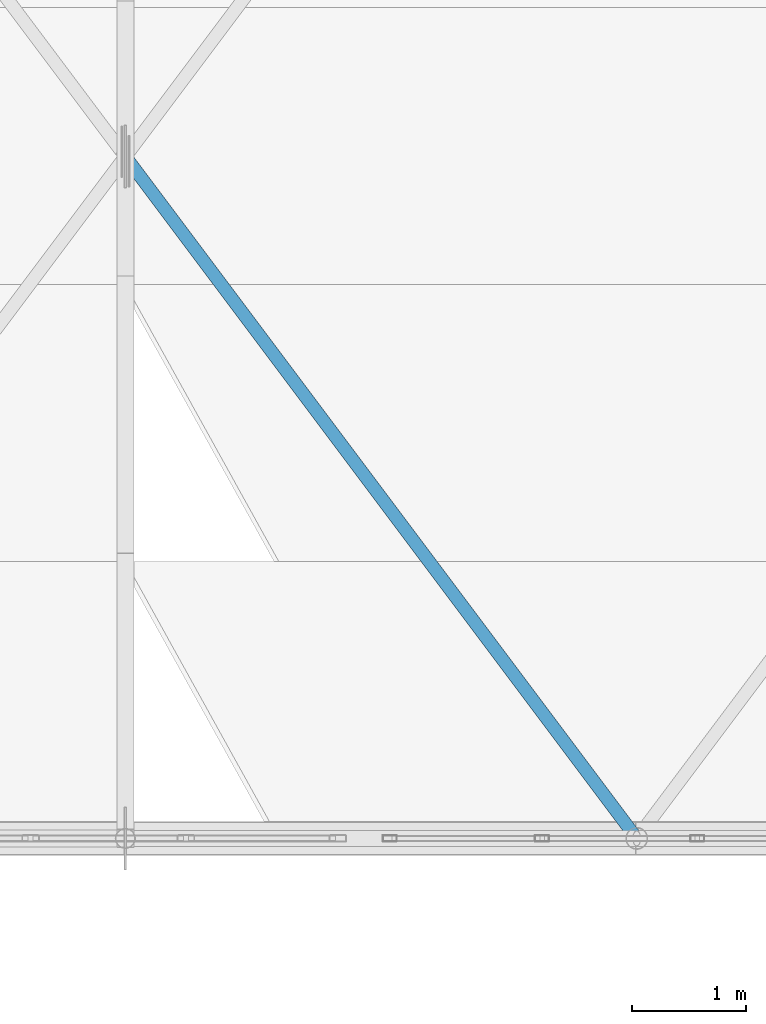
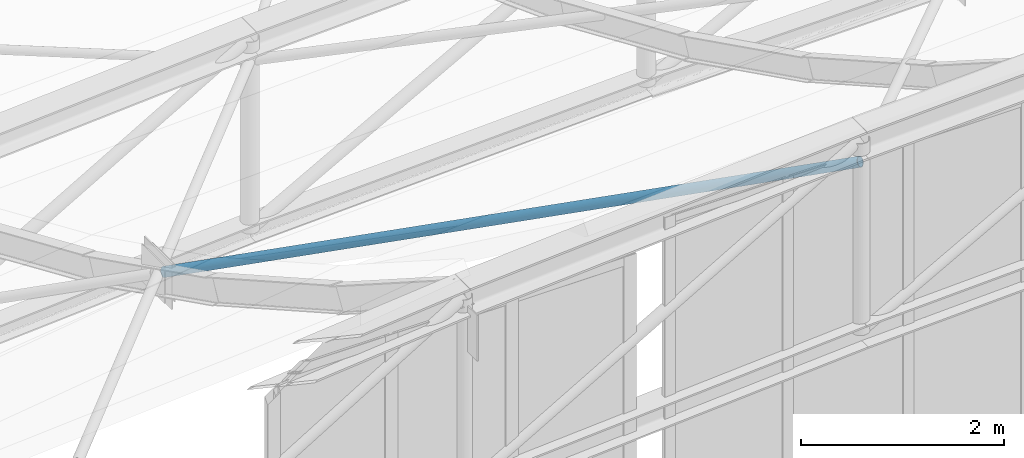
# One storey, part 49 of 262: 1 member.
"""IFC4 building model written with IfcOpenShell, lengths in metres."""

import ifcopenshell
import ifcopenshell.guid

model = None  # the IFC model being written
_history = None  # IfcOwnerHistory: only IFC2X3 demands one
_inside = {}  # id of a spatial element -> (the spatial element, [elements in it])
_under = {}  # id of a project, library or spatial element -> (it, [spatial elements below it])
_declared = {}  # id of a project -> (the project, [libraries it declares])
_typed = {}  # id of a type object -> (the type object, [elements of that type])
_made_of = {}  # id of a material, layer set ... -> (it, [elements and type objects made of it])


def new_model(schema):
    """Start an empty IFC model of exactly this schema.

    Asked for "IFC4X3", IfcOpenShell would pick the latest addendum, in which some entities
    have other attributes; the version numbers below select the first issue.
    IFC2X3 requires an IfcOwnerHistory on every rooted entity: one is made here for all.
    """
    global model, _history
    if schema == "IFC4X3":
        model = ifcopenshell.file(schema_version=(4, 3, 0, 0))
    else:
        model = ifcopenshell.file(schema=schema)
    _inside.clear()
    _under.clear()
    _declared.clear()
    _typed.clear()
    _made_of.clear()
    _history = None
    if model.schema == "IFC2X3":
        org = make("IfcOrganization", Name="unknown")
        user = make(
            "IfcPersonAndOrganization",
            ThePerson=make("IfcPerson", FamilyName="unknown"),
            TheOrganization=org,
        )
        app = make(
            "IfcApplication",
            ApplicationDeveloper=org,
            Version="unknown",
            ApplicationFullName="unknown",
            ApplicationIdentifier="unknown",
        )
        _history = make(
            "IfcOwnerHistory",
            OwningUser=user,
            OwningApplication=app,
            ChangeAction="ADDED",
            CreationDate=0,
        )
    return model


def make(cls, **values):
    """One entity of the class cls with the attributes given. An attribute that is None is left unset."""
    return model.create_entity(
        cls, **{name: value for name, value in values.items() if value is not None}
    )


def rooted(cls, **values):
    """An entity with a GlobalId (a new one), such as an element, a storey or a relation."""
    return make(cls, GlobalId=ifcopenshell.guid.new(), OwnerHistory=_history, **values)


def si_unit(unit_type, name, prefix=None):
    """IfcSIUnit, for example si_unit("LENGTHUNIT", "METRE", prefix="MILLI")."""
    return make("IfcSIUnit", UnitType=unit_type, Prefix=prefix, Name=name)


def derived_unit(unit_type, elements):
    """IfcDerivedUnit: a product of units, each with its exponent."""
    return make(
        "IfcDerivedUnit",
        Elements=[
            make("IfcDerivedUnitElement", Unit=unit, Exponent=power)
            for unit, power in elements
        ],
        UnitType=unit_type,
    )


def assignment(units):
    """IfcUnitAssignment: the units of a project."""
    return None if units is None else make("IfcUnitAssignment", Units=units)


def point(xyz):
    """IfcCartesianPoint."""
    return None if xyz is None else make("IfcCartesianPoint", Coordinates=xyz)


def direction(xyz):
    """IfcDirection."""
    return None if xyz is None else make("IfcDirection", DirectionRatios=xyz)


def frame(location, z_axis=None, x_axis=None):
    """IfcAxis2Placement3D, a coordinate frame: its origin and axes. An axis left out is left unset."""
    return make(
        "IfcAxis2Placement3D",
        Location=point(location),
        Axis=direction(z_axis),
        RefDirection=direction(x_axis),
    )


def frame_2d(location, x_axis=None):
    """IfcAxis2Placement2D, a coordinate frame in the plane: its origin and x axis."""
    return make(
        "IfcAxis2Placement2D", Location=point(location), RefDirection=direction(x_axis)
    )


def origin():
    """The frame at (0, 0, 0) with its axes left unset."""
    return frame((0.0, 0.0, 0.0))


def origin_2d():
    """The frame at (0, 0) in the plane with its x axis left unset."""
    return frame_2d((0.0, 0.0))


def place(relative_to, where):
    """IfcLocalPlacement: puts the frame where relative to a parent placement (None: the world)."""
    return make(
        "IfcLocalPlacement", PlacementRelTo=relative_to, RelativePlacement=where
    )


def context(
    kind, dimensions, precision=None, world=None, true_north=None, identifier=None
):
    """IfcGeometricRepresentationContext, for example the 3D "Model" context."""
    return make(
        "IfcGeometricRepresentationContext",
        ContextIdentifier=identifier,
        ContextType=kind,
        CoordinateSpaceDimension=dimensions,
        Precision=precision,
        WorldCoordinateSystem=world,
        TrueNorth=true_north,
    )


def subcontext(parent, identifier, kind, view, scale=None):
    """IfcGeometricRepresentationSubContext, for example "Body" below "Model"."""
    return make(
        "IfcGeometricRepresentationSubContext",
        ContextIdentifier=identifier,
        ContextType=kind,
        ParentContext=parent,
        TargetScale=scale,
        TargetView=view,
    )


def project(units=None, contexts=None):
    """IfcProject with its units and contexts."""
    return rooted(
        "IfcProject",
        Name="project",
        RepresentationContexts=contexts,
        UnitsInContext=assignment(units),
    )


def spatial(cls, under=None, at=None, **own):
    """A site, building, storey or space (cls), placed at a placement, below another one or the project."""
    s = rooted(cls, ObjectPlacement=at, **own)
    if under is not None:
        _under.setdefault(under.id(), (under, []))[1].append(s)
    return s


def profile(cls, at=None, kind="AREA", **sizes):
    """A parametric profile (cls). Its sizes go by their IFC names, for example OverallWidth=200.0."""
    return make(cls, ProfileType=kind, Position=at, **sizes)


def hollow_circle(**sizes):
    """IfcCircleHollowProfileDef."""
    return profile("IfcCircleHollowProfileDef", **sizes)


def extrude(swept, where, along, depth):
    """IfcExtrudedAreaSolid: the profile swept, set in the frame where, extruded along a direction by depth."""
    return make(
        "IfcExtrudedAreaSolid",
        SweptArea=swept,
        Position=where,
        ExtrudedDirection=direction(along),
        Depth=depth,
    )


def shape(context_of_items, identifier, shape_type, items):
    """IfcShapeRepresentation: the items that make up one representation, for example the "Body"."""
    return make(
        "IfcShapeRepresentation",
        ContextOfItems=context_of_items,
        RepresentationIdentifier=identifier,
        RepresentationType=shape_type,
        Items=items,
    )


def material(Name=None, Category=None):
    """IfcMaterial."""
    return make("IfcMaterial", Name=Name, Category=Category)


def material_profile(
    of_material, cross_section, Name=None, Category=None, Priority=None
):
    """IfcMaterialProfile: a cross section and its material."""
    return make(
        "IfcMaterialProfile",
        Name=Name,
        Material=of_material,
        Profile=cross_section,
        Priority=Priority,
        Category=Category,
    )


def profile_set(profiles, Name=None, composite=None):
    """IfcMaterialProfileSet."""
    return make(
        "IfcMaterialProfileSet",
        Name=Name,
        MaterialProfiles=profiles,
        CompositeProfile=composite,
    )


def made_of(thing, what):
    """Note that an element or type object is made of a material, layer set ...; save() writes the relation."""
    if what is not None:
        _made_of.setdefault(what.id(), (what, []))[1].append(thing)
    return thing


def type_object(cls, material=None, **own):
    """A type object (cls), such as IfcWallType, which elements share."""
    return made_of(rooted(cls, **own), material)


def element(
    cls,
    number,
    at=None,
    inside=None,
    cuts=None,
    type_object=None,
    material=None,
    context=None,
    identifier="Body",
    shape_type=None,
    held_by="IfcProductDefinitionShape",
    body=None,
    shapes=None,
    **own,
):
    """One element of the class cls, such as IfcWall. Its Tag is "e" and its number.

    at: its placement. inside: the storey or other place that contains it. cuts: it is an
    opening in that element (IfcRelVoidsElement). A single representation is given by context,
    identifier, shape_type and body (its items); several are given by shapes. held_by: the class
    of the entity that holds the representations. save() writes the other relations.
    """
    e = rooted(cls, Tag="e%d" % number, ObjectPlacement=at, **own)
    if body is not None:
        shapes = [shape(context, identifier, shape_type, body)]
    if shapes is not None:
        e.Representation = make(held_by, Representations=shapes)
    if inside is not None:
        _inside.setdefault(inside.id(), (inside, []))[1].append(e)
    if cuts is not None:
        rooted(
            "IfcRelVoidsElement", RelatingBuildingElement=cuts, RelatedOpeningElement=e
        )
    if type_object is not None:
        _typed.setdefault(type_object.id(), (type_object, []))[1].append(e)
    return made_of(e, material)


def aggregate(whole, parts):
    """IfcRelAggregates: a whole, such as a stair, and the parts it consists of."""
    return rooted("IfcRelAggregates", RelatingObject=whole, RelatedObjects=parts)


def save(model, path):
    """Write the relations noted so far, then the file.

    IfcRelAggregates (storeys below a building ...), IfcRelContainedInSpatialStructure (elements
    in a storey), IfcRelDefinesByType, IfcRelAssociatesMaterial and IfcRelDeclares: one each for
    every whole, place, type object, material and project.
    """
    for whole, parts in _under.values():
        aggregate(whole, parts)
    for where, things in _inside.values():
        rooted(
            "IfcRelContainedInSpatialStructure",
            RelatedElements=things,
            RelatingStructure=where,
        )
    for kind, things in _typed.values():
        rooted("IfcRelDefinesByType", RelatedObjects=things, RelatingType=kind)
    for what, things in _made_of.values():
        rooted("IfcRelAssociatesMaterial", RelatedObjects=things, RelatingMaterial=what)
    for by, libraries in _declared.values():
        rooted("IfcRelDeclares", RelatingContext=by, RelatedDefinitions=libraries)
    model.write(path)


model = new_model("IFC4")

# Units and contexts
model_context = context("Model", 3, precision=1e-05, world=origin(), true_north=direction((0.0, 1.0)))
body_context = subcontext(model_context, "Body", "Model", "MODEL_VIEW")
ifc_project = project(units=[si_unit("LENGTHUNIT", "METRE"), si_unit("AREAUNIT", "SQUARE_METRE"), si_unit("VOLUMEUNIT", "CUBIC_METRE"), si_unit("PLANEANGLEUNIT", "RADIAN"), si_unit("MASSUNIT", "GRAM", prefix="KILO"), derived_unit("THERMALTRANSMITTANCEUNIT", [(si_unit("POWERUNIT", "WATT"), 1), (si_unit("LENGTHUNIT", "METRE"), -2), (si_unit("THERMODYNAMICTEMPERATUREUNIT", "KELVIN"), -1)])], contexts=[model_context])

# Site, building, storey
site_placement = place(None, origin())
site = spatial("IfcSite", under=ifc_project, at=site_placement, CompositionType="ELEMENT")
building_placement = place(site_placement, origin())
building = spatial("IfcBuilding", under=site, at=building_placement, Name="Almenara Railside Exhibition Hall", CompositionType="ELEMENT")
storey_placement = place(building_placement, frame((0.0, 0.0, 21.699951171875)))
storey = spatial("IfcBuildingStorey", under=building, at=storey_placement, Name="RF", CompositionType="ELEMENT", Elevation=21.699951171875)

# Member
ifc_material = material(Name="Structural steel S355JR", Category="steel")
ifc_material_profile = material_profile(ifc_material, hollow_circle(Radius=0.05712890625, WallThickness=0.00439453125, at=origin_2d()), Name="CHS 114.3x4.5")
ifc_profile_set = profile_set([ifc_material_profile], Name="Structural steel S355JR")
member_type = type_object("IfcMemberType", Name="Roof Wind Plan X-Brace CHS 114.3x4.5 S355JR", PredefinedType="BRACE", material=ifc_profile_set)
member_placement = place(storey_placement, frame((30.0, 48.0, 10.57568359375), z_axis=(-0.546573424535, 0.728754607526, -0.412521773489), x_axis=(-0.799996064447, -0.600005247368, 0.0)))
element("IfcMember", 1, at=member_placement, inside=storey, type_object=member_type, Name="MEM-WB-V1-WB-CHS114-00-02-S1", PredefinedType="BRACE", context=body_context, shape_type="SweptSolid", body=[
    extrude(hollow_circle(Radius=0.05712890625, WallThickness=0.00439453125, at=origin_2d()), origin(), (0.0, 0.0, 1.0), 8.171875),
])

save(model, "model.ifc")
